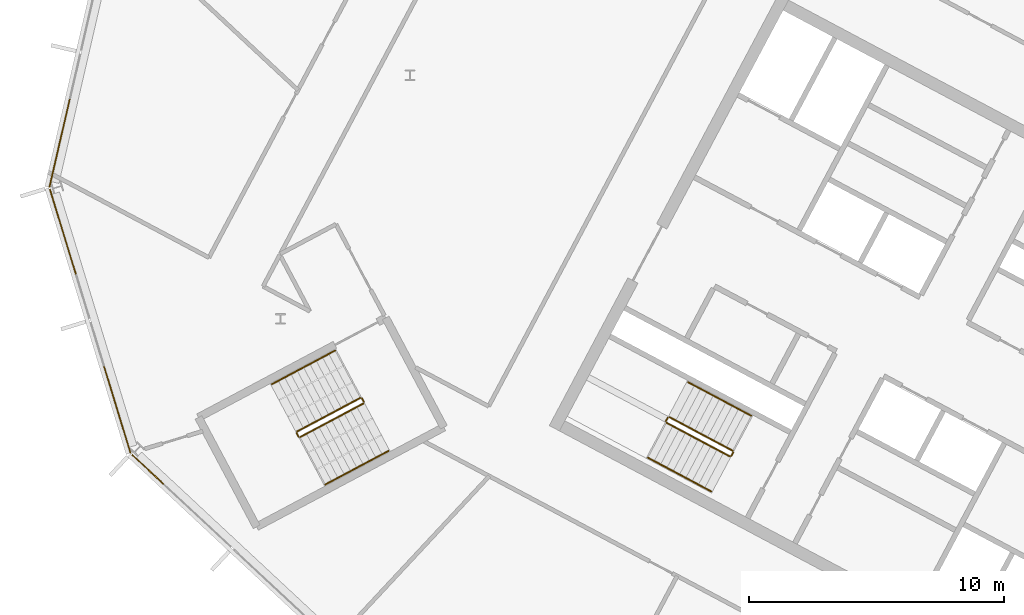
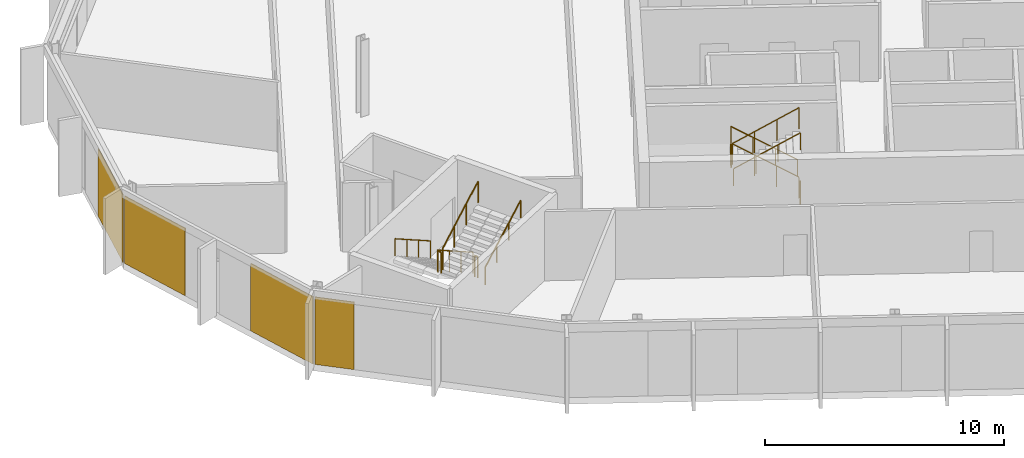
# One storey, part 21 of 26: 12 railings, 4 coverings, 3 elements without a shape of their own.
"""IFC4 building model written with IfcOpenShell, lengths in metres."""

from ifc_helpers import new_model, si_unit, direction, frame, origin, origin_2d, place, context, subcontext, project, spatial, polyline, rectangle, outline, extrude, material, layer, layer_set, type_object, element, aggregate, save


model = new_model("IFC4")

# Units and contexts
model_context = context("Model", 3, precision=1e-05, world=origin(), true_north=direction((0.0, 1.0)))
body_context = subcontext(model_context, "Body", "Model", "MODEL_VIEW")
ifc_project = project(units=[si_unit("LENGTHUNIT", "METRE"), si_unit("AREAUNIT", "SQUARE_METRE"), si_unit("VOLUMEUNIT", "CUBIC_METRE"), si_unit("PLANEANGLEUNIT", "RADIAN"), si_unit("MASSUNIT", "GRAM", prefix="KILO")], contexts=[model_context])

# Site, building, storey
site_placement = place(None, origin())
site = spatial("IfcSite", under=ifc_project, at=site_placement, CompositionType="ELEMENT")
building_placement = place(site_placement, origin())
building = spatial("IfcBuilding", under=site, at=building_placement, Name="Cormorant Relay Tower", CompositionType="ELEMENT")
storey_placement = place(building_placement, frame((0.0, 0.0, 304.800048828125)))
storey = spatial("IfcBuildingStorey", under=building, at=storey_placement, Name="L69", CompositionType="ELEMENT", Elevation=304.800048828125)

# Curtain wall, covering
ifc_material_1 = material(Name="Aluminium 6063-T6 anodised bronze", Category="aluminium")
ifc_layer_1 = layer(ifc_material_1, 0.199951171875)
ifc_layer_set_1 = layer_set([ifc_layer_1], Name="CW1 unitised bronze curtain wall with vertical fins")
curtain_wall_type = type_object("IfcCurtainWallType", Name="CW1 unitised bronze curtain wall with vertical fins", PredefinedType="NOTDEFINED", material=ifc_layer_set_1)
curtain_wall_1_placement = place(storey_placement, origin())
curtain_wall_1 = element("IfcCurtainWall", 1, at=curtain_wall_1_placement, inside=storey, type_object=curtain_wall_type, Name="CW1 curtain wall 13", PredefinedType="NOTDEFINED")
ifc_material_2 = material(Name="Pale bronze anodised aluminium insulated panel", Category="aluminium")
ifc_layer_2 = layer(ifc_material_2, 0.0400390625)
ifc_layer_set_2 = layer_set([ifc_layer_2], Name="CW1 pale bronze insulated panel 40")
covering_type = type_object("IfcCoveringType", Name="CW1 pale bronze insulated panel 40", PredefinedType="CLADDING", material=ifc_layer_set_2)
covering_1_placement = place(storey_placement, frame((-60.3388671875, 22.13232421875, 0.0), z_axis=(0.0, 0.0, 1.0), x_axis=(-0.224951054344, -0.974370064785, 0.0)))
covering_1 = element("IfcCovering", 2, at=covering_1_placement, type_object=covering_type, Name="CW1 panel S02", PredefinedType="CLADDING", context=body_context, shape_type="SweptSolid", body=[
    extrude(rectangle(XDim=3.560302734375, YDim=0.0400390625, at=origin_2d()), origin(), (0.0, 0.0, 1.0), 3.449951171875),
])
aggregate(curtain_wall_1, [covering_1])

# Curtain wall, coverings
curtain_wall_2_placement = place(storey_placement, origin())
curtain_wall_2 = element("IfcCurtainWall", 3, at=curtain_wall_2_placement, inside=storey, type_object=curtain_wall_type, Name="CW1 curtain wall 14", PredefinedType="NOTDEFINED")
covering_2_placement = place(storey_placement, frame((-60.20751953125, 18.6494140625, 0.0), z_axis=(0.0, 0.0, 1.0), x_axis=(0.292371704723, -0.956304755963, 0.0)))
covering_2 = element("IfcCovering", 4, at=covering_2_placement, type_object=covering_type, Name="CW1 panel S00", PredefinedType="CLADDING", context=body_context, shape_type="SweptSolid", body=[
    extrude(rectangle(XDim=3.485107421875, YDim=0.0400390625, at=origin_2d()), origin(), (0.0, 0.0, 1.0), 3.449951171875),
])
covering_3_placement = place(storey_placement, frame((-58.081298828125, 11.6943359375, 0.0), z_axis=(0.0, 0.0, 1.0), x_axis=(0.292371704723, -0.956304755963, 0.0)))
covering_3 = element("IfcCovering", 5, at=covering_3_placement, type_object=covering_type, Name="CW1 panel S03", PredefinedType="CLADDING", context=body_context, shape_type="SweptSolid", body=[
    extrude(rectangle(XDim=3.560302734375, YDim=0.0400390625, at=origin_2d()), origin(), (0.0, 0.0, 1.0), 3.449951171875),
])
aggregate(curtain_wall_2, [covering_2, covering_3])

# Curtain wall, covering
curtain_wall_3_placement = place(storey_placement, origin())
curtain_wall_3 = element("IfcCurtainWall", 6, at=curtain_wall_3_placement, inside=storey, type_object=curtain_wall_type, Name="CW1 curtain wall 15", PredefinedType="NOTDEFINED")
covering_4_placement = place(storey_placement, frame((-56.88427734375, 9.357421875, 0.0), z_axis=(0.0, 0.0, 1.0), x_axis=(0.731353701619, -0.681998360062, 0.0)))
covering_4 = element("IfcCovering", 7, at=covering_4_placement, type_object=covering_type, Name="CW1 panel S00", PredefinedType="CLADDING", context=body_context, shape_type="SweptSolid", body=[
    extrude(rectangle(XDim=1.685302734375, YDim=0.0400390625, at=origin_2d()), origin(), (0.0, 0.0, 1.0), 3.449951171875),
])
aggregate(curtain_wall_3, [covering_4])

# Railings
ifc_material_3 = material(Name="Steel ASTM A572 Grade 50 (Fy 345 MPa)", Category="steel")
railing_type_1 = type_object("IfcRailingType", Name="Stair guard 1100", PredefinedType="GUARDRAIL", material=ifc_material_3)
railing_1_placement = place(storey_placement, frame((-33.9921875, 10.08935546875, 0.17724609375)))
element("IfcRailing", 8, at=railing_1_placement, inside=storey, type_object=railing_type_1, Name="L69 A2 stair guard 1", PredefinedType="GUARDRAIL", context=body_context, shape_type="SweptSolid", body=[
    extrude(outline(polyline([(0.022216796875, 0.00927734375), (0.00927734375, 0.022216796875), (-0.00927734375, 0.022216796875), (-0.022216796875, 0.00927734375), (-0.022216796875, -0.00927734375), (-0.00927734375, -0.022216796875), (0.00927734375, -0.022216796875), (0.022216796875, -0.00927734375), (0.022216796875, 0.00927734375)])), frame((0.0, 0.0, 1.076171875), z_axis=(-0.746001213114, 0.396649272309, 0.534931345884), x_axis=(-0.469465464807, -0.882950835185, 0.0)), (0.0, 0.0, 1.0), 3.31396484375),
    extrude(outline(polyline([(0.019287109375, 0.008056640625), (0.008056640625, 0.019287109375), (-0.008056640625, 0.019287109375), (-0.019287109375, 0.008056640625), (-0.019287109375, -0.008056640625), (-0.008056640625, -0.019287109375), (0.008056640625, -0.019287109375), (0.019287109375, -0.008056640625), (0.019287109375, 0.008056640625)])), origin(), (0.0, 0.0, 1.0), 1.052001953125),
    extrude(outline(polyline([(0.019287109375, 0.008056640625), (0.008056640625, 0.019287109375), (-0.008056640625, 0.019287109375), (-0.019287109375, 0.008056640625), (-0.019287109375, -0.008056640625), (-0.008056640625, -0.019287109375), (0.008056640625, -0.019287109375), (0.019287109375, -0.008056640625), (0.019287109375, 0.008056640625)])), frame((-0.823974609375, 0.438232421875, 0.5908203125)), (0.0, 0.0, 1.0), 1.052001953125),
    extrude(outline(polyline([(0.019287109375, 0.008056640625), (0.008056640625, 0.019287109375), (-0.008056640625, 0.019287109375), (-0.019287109375, 0.008056640625), (-0.019287109375, -0.008056640625), (-0.008056640625, -0.019287109375), (0.008056640625, -0.019287109375), (0.019287109375, -0.008056640625), (0.019287109375, 0.008056640625)])), frame((-1.648193359375, 0.876220703125, 1.181884765625)), (0.0, 0.0, 1.0), 1.052001953125),
    extrude(outline(polyline([(0.019287109375, 0.008056640625), (0.008056640625, 0.019287109375), (-0.008056640625, 0.019287109375), (-0.019287109375, 0.008056640625), (-0.019287109375, -0.008056640625), (-0.008056640625, -0.019287109375), (0.008056640625, -0.019287109375), (0.019287109375, -0.008056640625), (0.019287109375, 0.008056640625)])), frame((-2.47216796875, 1.314453125, 1.772705078125)), (0.0, 0.0, 1.0), 1.052001953125),
])
railing_2_placement = place(storey_placement, frame((-36.531982421875, 11.38330078125, 1.949951171875)))
element("IfcRailing", 9, at=railing_2_placement, inside=storey, type_object=railing_type_1, Name="L69 A2 stair guard 2", PredefinedType="GUARDRAIL", context=body_context, shape_type="SweptSolid", body=[
    extrude(outline(polyline([(0.022216796875, 0.00927734375), (0.00927734375, 0.022216796875), (-0.00927734375, 0.022216796875), (-0.022216796875, 0.00927734375), (-0.022216796875, -0.00927734375), (-0.00927734375, -0.022216796875), (0.00927734375, -0.022216796875), (0.022216796875, -0.00927734375), (0.022216796875, 0.00927734375)])), frame((0.0, 0.0, 1.076171875), z_axis=(-0.469828648786, -0.882757634224, 0.0), x_axis=(0.882757634224, -0.469828648786, 0.0)), (0.0, 0.0, 1.0), 0.150146484375),
    extrude(outline(polyline([(0.019287109375, 0.008056640625), (0.008056640625, 0.019287109375), (-0.008056640625, 0.019287109375), (-0.019287109375, 0.008056640625), (-0.019287109375, -0.008056640625), (-0.008056640625, -0.019287109375), (0.008056640625, -0.019287109375), (0.019287109375, -0.008056640625), (0.019287109375, 0.008056640625)])), origin(), (0.0, 0.0, 1.0), 1.052001953125),
    extrude(outline(polyline([(0.019287109375, 0.008056640625), (0.008056640625, 0.019287109375), (-0.008056640625, 0.019287109375), (-0.019287109375, 0.008056640625), (-0.019287109375, -0.008056640625), (-0.008056640625, -0.019287109375), (0.008056640625, -0.019287109375), (0.019287109375, -0.008056640625), (0.019287109375, 0.008056640625)])), frame((-0.070556640625, -0.132568359375, 0.0)), (0.0, 0.0, 1.0), 1.052001953125),
])
railing_3_placement = place(storey_placement, frame((-36.581787109375, 11.18310546875, 2.127197265625)))
element("IfcRailing", 10, at=railing_3_placement, inside=storey, type_object=railing_type_1, Name="L69 A2 stair guard 3", PredefinedType="GUARDRAIL", context=body_context, shape_type="SweptSolid", body=[
    extrude(outline(polyline([(0.022216796875, 0.00927734375), (0.00927734375, 0.022216796875), (-0.00927734375, 0.022216796875), (-0.022216796875, 0.00927734375), (-0.022216796875, -0.00927734375), (-0.00927734375, -0.022216796875), (0.00927734375, -0.022216796875), (0.022216796875, -0.00927734375), (0.022216796875, 0.00927734375)])), frame((0.0, 0.0, 1.076171875), z_axis=(0.746001213114, -0.396649272309, 0.534931345884), x_axis=(0.469465464807, 0.882950835185, 0.0)), (0.0, 0.0, 1.0), 3.31396484375),
    extrude(outline(polyline([(0.019287109375, 0.008056640625), (0.008056640625, 0.019287109375), (-0.008056640625, 0.019287109375), (-0.019287109375, 0.008056640625), (-0.019287109375, -0.008056640625), (-0.008056640625, -0.019287109375), (0.008056640625, -0.019287109375), (0.019287109375, -0.008056640625), (0.019287109375, 0.008056640625)])), origin(), (0.0, 0.0, 1.0), 1.052001953125),
    extrude(outline(polyline([(0.019287109375, 0.008056640625), (0.008056640625, 0.019287109375), (-0.008056640625, 0.019287109375), (-0.019287109375, 0.008056640625), (-0.019287109375, -0.008056640625), (-0.008056640625, -0.019287109375), (0.008056640625, -0.019287109375), (0.019287109375, -0.008056640625), (0.019287109375, 0.008056640625)])), frame((0.823974609375, -0.438232421875, 0.5908203125)), (0.0, 0.0, 1.0), 1.052001953125),
    extrude(outline(polyline([(0.019287109375, 0.008056640625), (0.008056640625, 0.019287109375), (-0.008056640625, 0.019287109375), (-0.019287109375, 0.008056640625), (-0.019287109375, -0.008056640625), (-0.008056640625, -0.019287109375), (0.008056640625, -0.019287109375), (0.019287109375, -0.008056640625), (0.019287109375, 0.008056640625)])), frame((1.648193359375, -0.876220703125, 1.181884765625)), (0.0, 0.0, 1.0), 1.052001953125),
    extrude(outline(polyline([(0.019287109375, 0.008056640625), (0.008056640625, 0.019287109375), (-0.008056640625, 0.019287109375), (-0.019287109375, 0.008056640625), (-0.019287109375, -0.008056640625), (-0.008056640625, -0.019287109375), (0.008056640625, -0.019287109375), (0.019287109375, -0.008056640625), (0.019287109375, 0.008056640625)])), frame((2.47216796875, -1.314453125, 1.772705078125)), (0.0, 0.0, 1.0), 1.052001953125),
])
railing_4_placement = place(storey_placement, frame((-33.971435546875, 10.021728515625, 0.0)))
element("IfcRailing", 11, at=railing_4_placement, inside=storey, type_object=railing_type_1, Name="L69 A2 stair guard 4", PredefinedType="GUARDRAIL", context=body_context, shape_type="SweptSolid", body=[
    extrude(outline(polyline([(0.022216796875, 0.00927734375), (0.00927734375, 0.022216796875), (-0.00927734375, 0.022216796875), (-0.022216796875, 0.00927734375), (-0.022216796875, -0.00927734375), (-0.00927734375, -0.022216796875), (0.00927734375, -0.022216796875), (0.022216796875, -0.00927734375), (0.022216796875, 0.00927734375)])), frame((0.0, 0.0, 1.076171875), z_axis=(-0.470503732759, -0.882398003998, 0.0), x_axis=(0.882398003998, -0.470503732759, 0.0)), (0.0, 0.0, 1.0), 0.14990234375),
    extrude(outline(polyline([(0.019287109375, 0.008056640625), (0.008056640625, 0.019287109375), (-0.008056640625, 0.019287109375), (-0.019287109375, 0.008056640625), (-0.019287109375, -0.008056640625), (-0.008056640625, -0.019287109375), (0.008056640625, -0.019287109375), (0.019287109375, -0.008056640625), (0.019287109375, 0.008056640625)])), origin(), (0.0, 0.0, 1.0), 1.052001953125),
    extrude(outline(polyline([(0.019287109375, 0.008056640625), (0.008056640625, 0.019287109375), (-0.008056640625, 0.019287109375), (-0.019287109375, 0.008056640625), (-0.019287109375, -0.008056640625), (-0.008056640625, -0.019287109375), (0.008056640625, -0.019287109375), (0.019287109375, -0.008056640625), (0.019287109375, 0.008056640625)])), frame((-0.070556640625, -0.13232421875, 0.0)), (0.0, 0.0, 1.0), 1.052001953125),
])
railing_5_placement = place(storey_placement, frame((-48.5693359375, 12.155517578125, 0.17724609375)))
element("IfcRailing", 12, at=railing_5_placement, inside=storey, type_object=railing_type_1, Name="L69 RP1 stair guard 1", PredefinedType="GUARDRAIL", context=body_context, shape_type="SweptSolid", body=[
    extrude(outline(polyline([(0.022216796875, 0.00927734375), (0.00927734375, 0.022216796875), (-0.00927734375, 0.022216796875), (-0.022216796875, 0.00927734375), (-0.022216796875, -0.00927734375), (-0.00927734375, -0.022216796875), (0.00927734375, -0.022216796875), (0.022216796875, -0.00927734375), (0.022216796875, 0.00927734375)])), frame((0.0, 0.0, 1.076171875), z_axis=(-0.746012083385, -0.396689549623, 0.534886317514), x_axis=(0.469497295046, -0.882933910293, 0.0)), (0.0, 0.0, 1.0), 3.314208984375),
    extrude(outline(polyline([(0.019287109375, 0.008056640625), (0.008056640625, 0.019287109375), (-0.008056640625, 0.019287109375), (-0.019287109375, 0.008056640625), (-0.019287109375, -0.008056640625), (-0.008056640625, -0.019287109375), (0.008056640625, -0.019287109375), (0.019287109375, -0.008056640625), (0.019287109375, 0.008056640625)])), origin(), (0.0, 0.0, 1.0), 1.052001953125),
    extrude(outline(polyline([(0.019287109375, 0.008056640625), (0.008056640625, 0.019287109375), (-0.008056640625, 0.019287109375), (-0.019287109375, 0.008056640625), (-0.019287109375, -0.008056640625), (-0.008056640625, -0.019287109375), (0.008056640625, -0.019287109375), (0.019287109375, -0.008056640625), (0.019287109375, 0.008056640625)])), frame((-0.82421875, -0.438232421875, 0.5908203125)), (0.0, 0.0, 1.0), 1.052001953125),
    extrude(outline(polyline([(0.019287109375, 0.008056640625), (0.008056640625, 0.019287109375), (-0.008056640625, 0.019287109375), (-0.019287109375, 0.008056640625), (-0.019287109375, -0.008056640625), (-0.008056640625, -0.019287109375), (0.008056640625, -0.019287109375), (0.019287109375, -0.008056640625), (0.019287109375, 0.008056640625)])), frame((-1.648193359375, -0.87646484375, 1.181884765625)), (0.0, 0.0, 1.0), 1.052001953125),
    extrude(outline(polyline([(0.019287109375, 0.008056640625), (0.008056640625, 0.019287109375), (-0.008056640625, 0.019287109375), (-0.019287109375, 0.008056640625), (-0.019287109375, -0.008056640625), (-0.008056640625, -0.019287109375), (0.008056640625, -0.019287109375), (0.019287109375, -0.008056640625), (0.019287109375, 0.008056640625)])), frame((-2.472412109375, -1.314697265625, 1.772705078125)), (0.0, 0.0, 1.0), 1.052001953125),
])
railing_6_placement = place(storey_placement, frame((-51.062255859375, 10.773193359375, 1.949951171875)))
element("IfcRailing", 13, at=railing_6_placement, inside=storey, type_object=railing_type_1, Name="L69 RP1 stair guard 2", PredefinedType="GUARDRAIL", context=body_context, shape_type="SweptSolid", body=[
    extrude(outline(polyline([(0.022216796875, 0.00927734375), (0.00927734375, 0.022216796875), (-0.00927734375, 0.022216796875), (-0.022216796875, 0.00927734375), (-0.022216796875, -0.00927734375), (-0.00927734375, -0.022216796875), (0.00927734375, -0.022216796875), (0.022216796875, -0.00927734375), (0.022216796875, 0.00927734375)])), frame((0.0, 0.0, 1.076171875), z_axis=(0.469234640946, -0.883073525669, 0.0), x_axis=(0.883073525669, 0.469234640946, 0.0)), (0.0, 0.0, 1.0), 0.14990234375),
    extrude(outline(polyline([(0.019287109375, 0.008056640625), (0.008056640625, 0.019287109375), (-0.008056640625, 0.019287109375), (-0.019287109375, 0.008056640625), (-0.019287109375, -0.008056640625), (-0.008056640625, -0.019287109375), (0.008056640625, -0.019287109375), (0.019287109375, -0.008056640625), (0.019287109375, 0.008056640625)])), origin(), (0.0, 0.0, 1.0), 1.052001953125),
    extrude(outline(polyline([(0.019287109375, 0.008056640625), (0.008056640625, 0.019287109375), (-0.008056640625, 0.019287109375), (-0.019287109375, 0.008056640625), (-0.019287109375, -0.008056640625), (-0.008056640625, -0.019287109375), (0.008056640625, -0.019287109375), (0.019287109375, -0.008056640625), (0.019287109375, 0.008056640625)])), frame((0.0703125, -0.13232421875, 0.0)), (0.0, 0.0, 1.0), 1.052001953125),
])
railing_7_placement = place(storey_placement, frame((-50.92431640625, 10.6201171875, 2.127197265625)))
element("IfcRailing", 14, at=railing_7_placement, inside=storey, type_object=railing_type_1, Name="L69 RP1 stair guard 3", PredefinedType="GUARDRAIL", context=body_context, shape_type="SweptSolid", body=[
    extrude(outline(polyline([(0.022216796875, 0.00927734375), (0.00927734375, 0.022216796875), (-0.00927734375, 0.022216796875), (-0.022216796875, 0.00927734375), (-0.022216796875, -0.00927734375), (-0.00927734375, -0.022216796875), (0.00927734375, -0.022216796875), (0.022216796875, -0.00927734375), (0.022216796875, 0.00927734375)])), frame((0.0, 0.0, 1.076171875), z_axis=(0.746033882577, 0.396627473466, 0.534901947407), x_axis=(-0.469429322983, 0.882970050864, 0.0)), (0.0, 0.0, 1.0), 3.31396484375),
    extrude(outline(polyline([(0.019287109375, 0.008056640625), (0.008056640625, 0.019287109375), (-0.008056640625, 0.019287109375), (-0.019287109375, 0.008056640625), (-0.019287109375, -0.008056640625), (-0.008056640625, -0.019287109375), (0.008056640625, -0.019287109375), (0.019287109375, -0.008056640625), (0.019287109375, 0.008056640625)])), origin(), (0.0, 0.0, 1.0), 1.052001953125),
    extrude(outline(polyline([(0.019287109375, 0.008056640625), (0.008056640625, 0.019287109375), (-0.008056640625, 0.019287109375), (-0.019287109375, 0.008056640625), (-0.019287109375, -0.008056640625), (-0.008056640625, -0.019287109375), (0.008056640625, -0.019287109375), (0.019287109375, -0.008056640625), (0.019287109375, 0.008056640625)])), frame((0.82421875, 0.438232421875, 0.5908203125)), (0.0, 0.0, 1.0), 1.052001953125),
    extrude(outline(polyline([(0.019287109375, 0.008056640625), (0.008056640625, 0.019287109375), (-0.008056640625, 0.019287109375), (-0.019287109375, 0.008056640625), (-0.019287109375, -0.008056640625), (-0.008056640625, -0.019287109375), (0.008056640625, -0.019287109375), (0.019287109375, -0.008056640625), (0.019287109375, 0.008056640625)])), frame((1.648193359375, 0.876220703125, 1.181884765625)), (0.0, 0.0, 1.0), 1.052001953125),
    extrude(outline(polyline([(0.019287109375, 0.008056640625), (0.008056640625, 0.019287109375), (-0.008056640625, 0.019287109375), (-0.019287109375, 0.008056640625), (-0.019287109375, -0.008056640625), (-0.008056640625, -0.019287109375), (0.008056640625, -0.019287109375), (0.019287109375, -0.008056640625), (0.019287109375, 0.008056640625)])), frame((2.472412109375, 1.314453125, 1.772705078125)), (0.0, 0.0, 1.0), 1.052001953125),
])
railing_8_placement = place(storey_placement, frame((-48.501708984375, 12.134765625, 0.0)))
element("IfcRailing", 15, at=railing_8_placement, inside=storey, type_object=railing_type_1, Name="L69 RP1 stair guard 4", PredefinedType="GUARDRAIL", context=body_context, shape_type="SweptSolid", body=[
    extrude(outline(polyline([(0.022216796875, 0.00927734375), (0.00927734375, 0.022216796875), (-0.00927734375, 0.022216796875), (-0.022216796875, 0.00927734375), (-0.022216796875, -0.00927734375), (-0.00927734375, -0.022216796875), (0.00927734375, -0.022216796875), (0.022216796875, -0.00927734375), (0.022216796875, 0.00927734375)])), frame((0.0, 0.0, 1.076171875), z_axis=(0.46856034887, -0.8834314911, 0.0), x_axis=(0.8834314911, 0.46856034887, 0.0)), (0.0, 0.0, 1.0), 0.150146484375),
    extrude(outline(polyline([(0.019287109375, 0.008056640625), (0.008056640625, 0.019287109375), (-0.008056640625, 0.019287109375), (-0.019287109375, 0.008056640625), (-0.019287109375, -0.008056640625), (-0.008056640625, -0.019287109375), (0.008056640625, -0.019287109375), (0.019287109375, -0.008056640625), (0.019287109375, 0.008056640625)])), origin(), (0.0, 0.0, 1.0), 1.052001953125),
    extrude(outline(polyline([(0.019287109375, 0.008056640625), (0.008056640625, 0.019287109375), (-0.008056640625, 0.019287109375), (-0.019287109375, 0.008056640625), (-0.019287109375, -0.008056640625), (-0.008056640625, -0.019287109375), (0.008056640625, -0.019287109375), (0.019287109375, -0.008056640625), (0.019287109375, 0.008056640625)])), frame((0.0703125, -0.132568359375, 0.0)), (0.0, 0.0, 1.0), 1.052001953125),
])
ifc_material_4 = material(Name="Steel ASTM A572 Grade 50 (Fy 345 MPa)", Category="steel")
railing_type_2 = type_object("IfcRailingType", Name="Stair handrail 900", PredefinedType="HANDRAIL", material=ifc_material_4)
railing_9_placement = place(storey_placement, frame((-33.264404296875, 11.4580078125, 0.17724609375)))
element("IfcRailing", 16, at=railing_9_placement, inside=storey, type_object=railing_type_2, Name="L69 A2 stair handrail 1", PredefinedType="HANDRAIL", context=body_context, shape_type="SweptSolid", body=[
    extrude(outline(polyline([(0.022216796875, 0.00927734375), (0.00927734375, 0.022216796875), (-0.00927734375, 0.022216796875), (-0.022216796875, 0.00927734375), (-0.022216796875, -0.00927734375), (-0.00927734375, -0.022216796875), (0.00927734375, -0.022216796875), (0.022216796875, -0.00927734375), (0.022216796875, 0.00927734375)])), frame((0.0, 0.0, 0.8759765625), z_axis=(-0.746033882577, 0.396627473466, 0.534901947407), x_axis=(-0.469429322983, -0.882970050864, 0.0)), (0.0, 0.0, 1.0), 3.31396484375),
    extrude(outline(polyline([(0.019287109375, 0.008056640625), (0.008056640625, 0.019287109375), (-0.008056640625, 0.019287109375), (-0.019287109375, 0.008056640625), (-0.019287109375, -0.008056640625), (-0.008056640625, -0.019287109375), (0.008056640625, -0.019287109375), (0.019287109375, -0.008056640625), (0.019287109375, 0.008056640625)])), origin(), (0.0, 0.0, 1.0), 0.851806640625),
    extrude(outline(polyline([(0.019287109375, 0.008056640625), (0.008056640625, 0.019287109375), (-0.008056640625, 0.019287109375), (-0.019287109375, 0.008056640625), (-0.019287109375, -0.008056640625), (-0.008056640625, -0.019287109375), (0.008056640625, -0.019287109375), (0.019287109375, -0.008056640625), (0.019287109375, 0.008056640625)])), frame((-0.82421875, 0.438232421875, 0.5908203125)), (0.0, 0.0, 1.0), 0.851806640625),
    extrude(outline(polyline([(0.019287109375, 0.008056640625), (0.008056640625, 0.019287109375), (-0.008056640625, 0.019287109375), (-0.019287109375, 0.008056640625), (-0.019287109375, -0.008056640625), (-0.008056640625, -0.019287109375), (0.008056640625, -0.019287109375), (0.019287109375, -0.008056640625), (0.019287109375, 0.008056640625)])), frame((-1.648193359375, 0.876220703125, 1.181884765625)), (0.0, 0.0, 1.0), 0.851806640625),
    extrude(outline(polyline([(0.019287109375, 0.008056640625), (0.008056640625, 0.019287109375), (-0.008056640625, 0.019287109375), (-0.019287109375, 0.008056640625), (-0.019287109375, -0.008056640625), (-0.008056640625, -0.019287109375), (0.008056640625, -0.019287109375), (0.019287109375, -0.008056640625), (0.019287109375, 0.008056640625)])), frame((-2.472412109375, 1.314453125, 1.772705078125)), (0.0, 0.0, 1.0), 0.851806640625),
])
railing_10_placement = place(storey_placement, frame((-37.3095703125, 9.814453125, 2.127197265625)))
element("IfcRailing", 17, at=railing_10_placement, inside=storey, type_object=railing_type_2, Name="L69 A2 stair handrail 2", PredefinedType="HANDRAIL", context=body_context, shape_type="SweptSolid", body=[
    extrude(outline(polyline([(0.022216796875, 0.00927734375), (0.00927734375, 0.022216796875), (-0.00927734375, 0.022216796875), (-0.022216796875, 0.00927734375), (-0.022216796875, -0.00927734375), (-0.00927734375, -0.022216796875), (0.00927734375, -0.022216796875), (0.022216796875, -0.00927734375), (0.022216796875, 0.00927734375)])), frame((0.0, 0.0, 0.8759765625), z_axis=(0.746033882577, -0.396627473466, 0.534901947407), x_axis=(0.469429322983, 0.882970050864, 0.0)), (0.0, 0.0, 1.0), 3.31396484375),
    extrude(outline(polyline([(0.019287109375, 0.008056640625), (0.008056640625, 0.019287109375), (-0.008056640625, 0.019287109375), (-0.019287109375, 0.008056640625), (-0.019287109375, -0.008056640625), (-0.008056640625, -0.019287109375), (0.008056640625, -0.019287109375), (0.019287109375, -0.008056640625), (0.019287109375, 0.008056640625)])), origin(), (0.0, 0.0, 1.0), 0.851806640625),
    extrude(outline(polyline([(0.019287109375, 0.008056640625), (0.008056640625, 0.019287109375), (-0.008056640625, 0.019287109375), (-0.019287109375, 0.008056640625), (-0.019287109375, -0.008056640625), (-0.008056640625, -0.019287109375), (0.008056640625, -0.019287109375), (0.019287109375, -0.008056640625), (0.019287109375, 0.008056640625)])), frame((0.82421875, -0.438232421875, 0.5908203125)), (0.0, 0.0, 1.0), 0.851806640625),
    extrude(outline(polyline([(0.019287109375, 0.008056640625), (0.008056640625, 0.019287109375), (-0.008056640625, 0.019287109375), (-0.019287109375, 0.008056640625), (-0.019287109375, -0.008056640625), (-0.008056640625, -0.019287109375), (0.008056640625, -0.019287109375), (0.019287109375, -0.008056640625), (0.019287109375, 0.008056640625)])), frame((1.648193359375, -0.876220703125, 1.181884765625)), (0.0, 0.0, 1.0), 0.851806640625),
    extrude(outline(polyline([(0.019287109375, 0.008056640625), (0.008056640625, 0.019287109375), (-0.008056640625, 0.019287109375), (-0.019287109375, 0.008056640625), (-0.019287109375, -0.008056640625), (-0.008056640625, -0.019287109375), (0.008056640625, -0.019287109375), (0.019287109375, -0.008056640625), (0.019287109375, 0.008056640625)])), frame((2.472412109375, -1.314453125, 1.772705078125)), (0.0, 0.0, 1.0), 0.851806640625),
])
railing_11_placement = place(storey_placement, frame((-49.55517578125, 14.009521484375, 0.17724609375)))
element("IfcRailing", 18, at=railing_11_placement, inside=storey, type_object=railing_type_2, Name="L69 RP1 stair handrail 1", PredefinedType="HANDRAIL", context=body_context, shape_type="SweptSolid", body=[
    extrude(outline(polyline([(0.022216796875, 0.00927734375), (0.00927734375, 0.022216796875), (-0.00927734375, 0.022216796875), (-0.022216796875, 0.00927734375), (-0.022216796875, -0.00927734375), (-0.00927734375, -0.022216796875), (0.00927734375, -0.022216796875), (0.022216796875, -0.00927734375), (0.022216796875, 0.00927734375)])), frame((0.0, 0.0, 0.8759765625), z_axis=(-0.746033882577, -0.396627473466, 0.534901947407), x_axis=(0.469429322983, -0.882970050864, 0.0)), (0.0, 0.0, 1.0), 3.31396484375),
    extrude(outline(polyline([(0.019287109375, 0.008056640625), (0.008056640625, 0.019287109375), (-0.008056640625, 0.019287109375), (-0.019287109375, 0.008056640625), (-0.019287109375, -0.008056640625), (-0.008056640625, -0.019287109375), (0.008056640625, -0.019287109375), (0.019287109375, -0.008056640625), (0.019287109375, 0.008056640625)])), origin(), (0.0, 0.0, 1.0), 0.851806640625),
    extrude(outline(polyline([(0.019287109375, 0.008056640625), (0.008056640625, 0.019287109375), (-0.008056640625, 0.019287109375), (-0.019287109375, 0.008056640625), (-0.019287109375, -0.008056640625), (-0.008056640625, -0.019287109375), (0.008056640625, -0.019287109375), (0.019287109375, -0.008056640625), (0.019287109375, 0.008056640625)])), frame((-0.82421875, -0.438232421875, 0.5908203125)), (0.0, 0.0, 1.0), 0.851806640625),
    extrude(outline(polyline([(0.019287109375, 0.008056640625), (0.008056640625, 0.019287109375), (-0.008056640625, 0.019287109375), (-0.019287109375, 0.008056640625), (-0.019287109375, -0.008056640625), (-0.008056640625, -0.019287109375), (0.008056640625, -0.019287109375), (0.019287109375, -0.008056640625), (0.019287109375, 0.008056640625)])), frame((-1.648193359375, -0.876220703125, 1.181884765625)), (0.0, 0.0, 1.0), 0.851806640625),
    extrude(outline(polyline([(0.019287109375, 0.008056640625), (0.008056640625, 0.019287109375), (-0.008056640625, 0.019287109375), (-0.019287109375, 0.008056640625), (-0.019287109375, -0.008056640625), (-0.008056640625, -0.019287109375), (0.008056640625, -0.019287109375), (0.019287109375, -0.008056640625), (0.019287109375, 0.008056640625)])), frame((-2.472412109375, -1.314453125, 1.772705078125)), (0.0, 0.0, 1.0), 0.851806640625),
])
railing_12_placement = place(storey_placement, frame((-49.9384765625, 8.765869140625, 2.127197265625)))
element("IfcRailing", 19, at=railing_12_placement, inside=storey, type_object=railing_type_2, Name="L69 RP1 stair handrail 2", PredefinedType="HANDRAIL", context=body_context, shape_type="SweptSolid", body=[
    extrude(outline(polyline([(0.022216796875, 0.00927734375), (0.00927734375, 0.022216796875), (-0.00927734375, 0.022216796875), (-0.022216796875, 0.00927734375), (-0.022216796875, -0.00927734375), (-0.00927734375, -0.022216796875), (0.00927734375, -0.022216796875), (0.022216796875, -0.00927734375), (0.022216796875, 0.00927734375)])), frame((0.0, 0.0, 0.8759765625), z_axis=(0.746012083385, 0.396689549623, 0.534886317514), x_axis=(-0.469497295046, 0.882933910293, 0.0)), (0.0, 0.0, 1.0), 3.314208984375),
    extrude(outline(polyline([(0.019287109375, 0.008056640625), (0.008056640625, 0.019287109375), (-0.008056640625, 0.019287109375), (-0.019287109375, 0.008056640625), (-0.019287109375, -0.008056640625), (-0.008056640625, -0.019287109375), (0.008056640625, -0.019287109375), (0.019287109375, -0.008056640625), (0.019287109375, 0.008056640625)])), origin(), (0.0, 0.0, 1.0), 0.851806640625),
    extrude(outline(polyline([(0.019287109375, 0.008056640625), (0.008056640625, 0.019287109375), (-0.008056640625, 0.019287109375), (-0.019287109375, 0.008056640625), (-0.019287109375, -0.008056640625), (-0.008056640625, -0.019287109375), (0.008056640625, -0.019287109375), (0.019287109375, -0.008056640625), (0.019287109375, 0.008056640625)])), frame((0.82421875, 0.438232421875, 0.5908203125)), (0.0, 0.0, 1.0), 0.851806640625),
    extrude(outline(polyline([(0.019287109375, 0.008056640625), (0.008056640625, 0.019287109375), (-0.008056640625, 0.019287109375), (-0.019287109375, 0.008056640625), (-0.019287109375, -0.008056640625), (-0.008056640625, -0.019287109375), (0.008056640625, -0.019287109375), (0.019287109375, -0.008056640625), (0.019287109375, 0.008056640625)])), frame((1.648193359375, 0.87646484375, 1.181884765625)), (0.0, 0.0, 1.0), 0.851806640625),
    extrude(outline(polyline([(0.019287109375, 0.008056640625), (0.008056640625, 0.019287109375), (-0.008056640625, 0.019287109375), (-0.019287109375, 0.008056640625), (-0.019287109375, -0.008056640625), (-0.008056640625, -0.019287109375), (0.008056640625, -0.019287109375), (0.019287109375, -0.008056640625), (0.019287109375, 0.008056640625)])), frame((2.472412109375, 1.314697265625, 1.772705078125)), (0.0, 0.0, 1.0), 0.851806640625),
])

save(model, "model.ifc")
